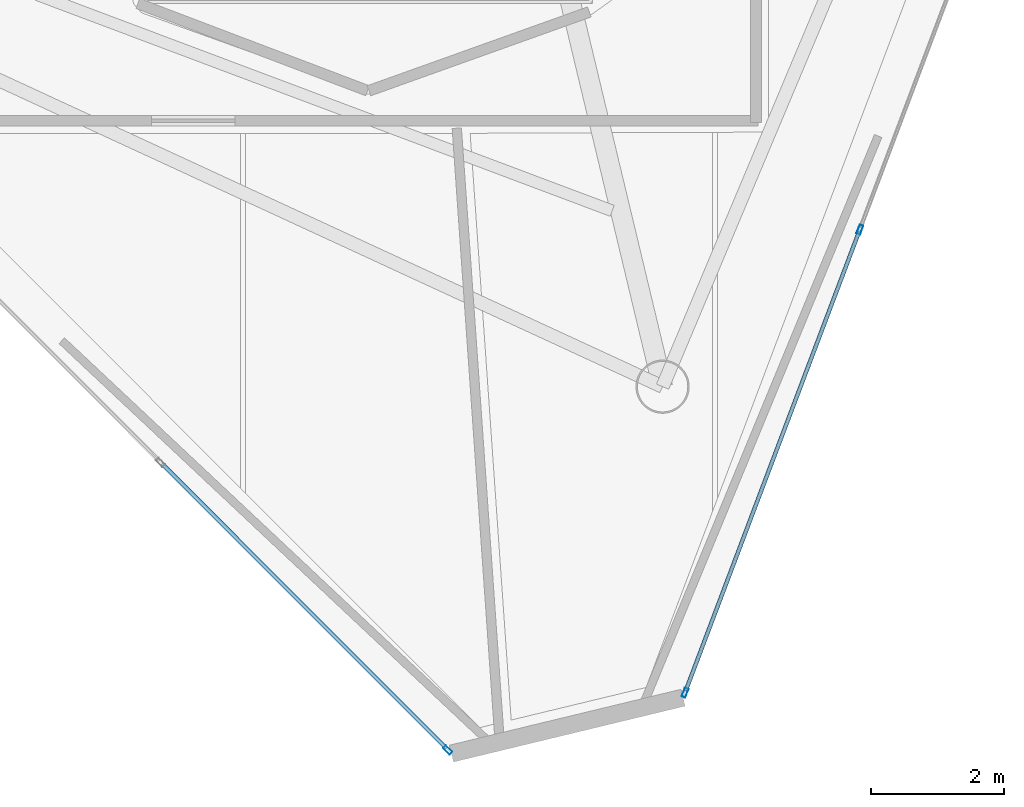
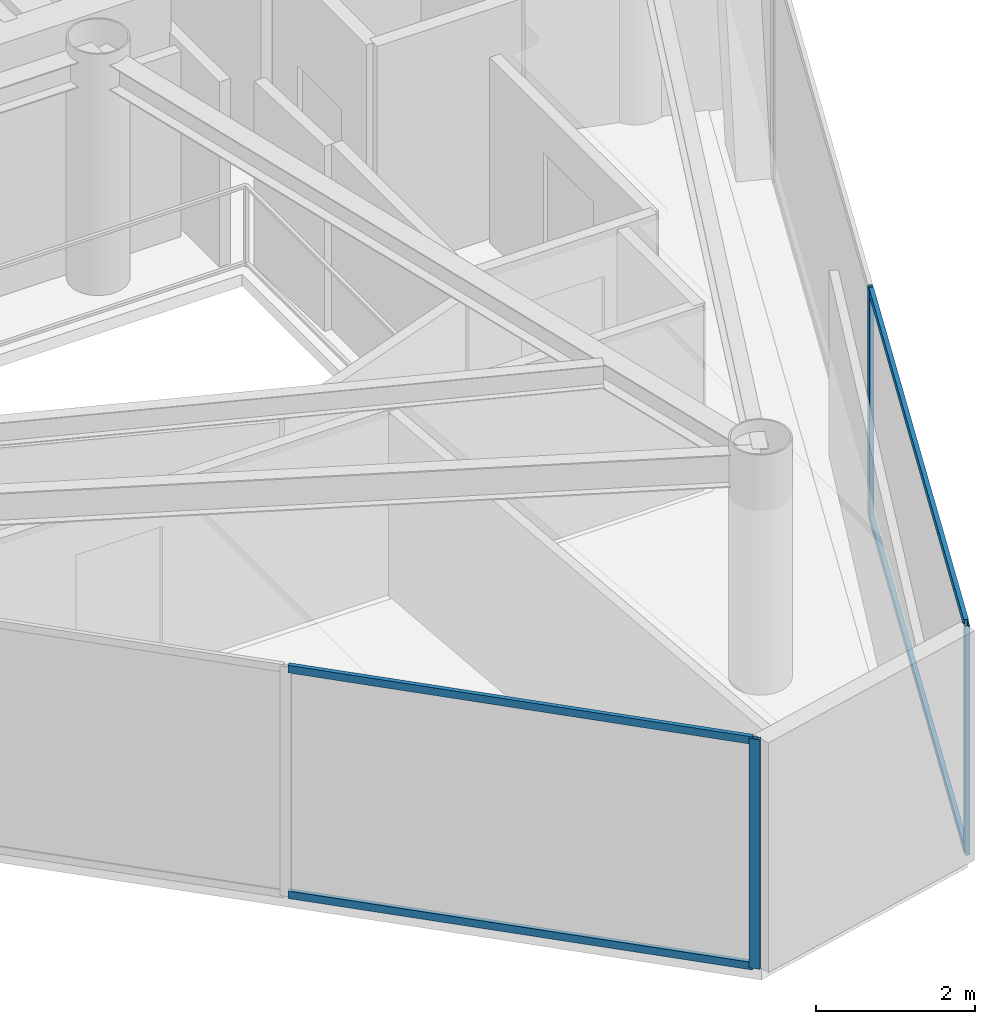
# One storey, part 4 of 19: 7 members, 2 elements without a shape of their own.
"""IFC4 building model written with IfcOpenShell, lengths in metres."""

from ifc_helpers import new_model, si_unit, direction, frame, origin, origin_2d, place, context, subcontext, project, spatial, hollow_rectangle, extrude, material, layer, layer_set, material_profile, profile_set, type_object, element, aggregate, save


model = new_model("IFC4")

# Units and contexts
model_context = context("Model", 3, precision=1e-05, world=origin(), true_north=direction((0.0, 1.0)))
body_context = subcontext(model_context, "Body", "Model", "MODEL_VIEW")
ifc_project = project(units=[si_unit("LENGTHUNIT", "METRE"), si_unit("AREAUNIT", "SQUARE_METRE"), si_unit("VOLUMEUNIT", "CUBIC_METRE"), si_unit("PLANEANGLEUNIT", "RADIAN"), si_unit("MASSUNIT", "GRAM", prefix="KILO")], contexts=[model_context])

# Site, building, storey
site_placement = place(None, origin())
site = spatial("IfcSite", under=ifc_project, at=site_placement, CompositionType="ELEMENT")
building_placement = place(site_placement, origin())
building = spatial("IfcBuilding", under=site, at=building_placement, Name="Qianvela Tower", CompositionType="ELEMENT")
storey_placement = place(building_placement, frame((0.0, 0.0, 340.699951171875)))
storey = spatial("IfcBuildingStorey", under=building, at=storey_placement, Name="L88", CompositionType="ELEMENT", Elevation=340.699951171875)

# Curtain wall, member
ifc_material_1 = material(Name="Anodised Architectural Aluminium and Low-E Glass", Category="aluminium")
ifc_layer = layer(ifc_material_1, 0.14990234375)
ifc_layer_set = layer_set([ifc_layer], Name="Anodised Architectural Aluminium and Low-E Glass")
curtain_wall_type = type_object("IfcCurtainWallType", Name="CW-COLIV-Z78", PredefinedType="USERDEFINED", material=ifc_layer_set)
curtain_wall_1_placement = place(storey_placement, origin())
curtain_wall_1 = element("IfcCurtainWall", 1, at=curtain_wall_1_placement, inside=storey, type_object=curtain_wall_type, Name="L88 CW-COLIV-Z78 Curtain Wall 04C", ObjectType="CURTAIN_WALL_SYSTEM", PredefinedType="USERDEFINED")
ifc_material_2 = material(Name="Anodised Architectural Aluminium 6063-T6", Category="aluminium")
ifc_material_profile_1 = material_profile(ifc_material_2, hollow_rectangle(XDim=0.06005859375, YDim=0.139892578125, WallThickness=0.00439453125, at=origin_2d()), Name="ALU-MULL-60x140")
ifc_profile_set_1 = profile_set([ifc_material_profile_1], Name="Anodised Architectural Aluminium 6063-T6")
member_type_1 = type_object("IfcMemberType", Name="CW-COLIV-Z78-MULL", PredefinedType="MULLION", material=ifc_profile_set_1)
member_1_placement = place(storey_placement, frame((37.992919921875, 6.63671875, 0.0), z_axis=(0.0, 0.0, 1.0), x_axis=(0.707600110845, 0.706613107104, 0.0)))
member_1 = element("IfcMember", 2, at=member_1_placement, type_object=member_type_1, Name="CW-6 mullion 3", PredefinedType="MULLION", context=body_context, shape_type="SweptSolid", body=[
    extrude(hollow_rectangle(XDim=0.06005859375, YDim=0.139892578125, WallThickness=0.00439453125, at=origin_2d()), origin(), (0.0, 0.0, 1.0), 3.52001953125),
])

# Curtain wall, members
curtain_wall_2_placement = place(storey_placement, origin())
curtain_wall_2 = element("IfcCurtainWall", 3, at=curtain_wall_2_placement, inside=storey, type_object=curtain_wall_type, Name="L88 CW-COLIV-Z78 Curtain Wall 06A", ObjectType="CURTAIN_WALL_SYSTEM", PredefinedType="USERDEFINED")
member_2_placement = place(storey_placement, frame((41.55419921875, 7.494384765625, 0.0), z_axis=(0.0, 0.0, 1.0), x_axis=(-0.935525754489, 0.353258492733, 0.0)))
member_2 = element("IfcMember", 4, at=member_2_placement, type_object=member_type_1, Name="CW-6 mullion 1", PredefinedType="MULLION", context=body_context, shape_type="SweptSolid", body=[
    extrude(hollow_rectangle(XDim=0.06005859375, YDim=0.139892578125, WallThickness=0.00439453125, at=origin_2d()), origin(), (0.0, 0.0, 1.0), 3.52001953125),
])
member_3_placement = place(storey_placement, frame((44.1787109375, 14.4453125, 0.0), z_axis=(0.0, 0.0, 1.0), x_axis=(-0.935525754489, 0.353258492733, 0.0)))
member_3 = element("IfcMember", 5, at=member_3_placement, type_object=member_type_1, Name="CW-6 mullion 2", PredefinedType="MULLION", context=body_context, shape_type="SweptSolid", body=[
    extrude(hollow_rectangle(XDim=0.06005859375, YDim=0.139892578125, WallThickness=0.00439453125, at=origin_2d()), origin(), (0.0, 0.0, 1.0), 3.52001953125),
])

# Member
ifc_material_3 = material(Name="Anodised Architectural Aluminium 6063-T6", Category="aluminium")
ifc_material_profile_2 = material_profile(ifc_material_3, hollow_rectangle(XDim=0.06005859375, YDim=0.114990234375, WallThickness=0.00390625, at=origin_2d()), Name="ALU-TRAN-60x115")
ifc_profile_set_2 = profile_set([ifc_material_profile_2], Name="Anodised Architectural Aluminium 6063-T6")
member_type_2 = type_object("IfcMemberType", Name="CW-COLIV-Z78-TRAN", PredefinedType="USERDEFINED", material=ifc_profile_set_2)
member_4_placement = place(storey_placement, frame((33.703857421875, 10.931640625, 0.030029296875), z_axis=(0.706621547677, -0.707591681945, 0.0), x_axis=(0.707591681945, 0.706621547677, 0.0)))
member_4 = element("IfcMember", 6, at=member_4_placement, type_object=member_type_2, Name="CW-6 transom 2.1", ObjectType="TRANSOM", PredefinedType="USERDEFINED", context=body_context, shape_type="SweptSolid", body=[
    extrude(hollow_rectangle(XDim=0.06005859375, YDim=0.114990234375, WallThickness=0.00390625, at=origin_2d()), origin(), (0.0, 0.0, 1.0), 6.039794921875),
])

member_5_placement = place(storey_placement, frame((33.703857421875, 10.931640625, 3.489990234375), z_axis=(0.706621547677, -0.707591681945, 0.0), x_axis=(0.707591681945, 0.706621547677, 0.0)))
member_5 = element("IfcMember", 7, at=member_5_placement, type_object=member_type_2, Name="CW-6 transom 2.2", ObjectType="TRANSOM", PredefinedType="USERDEFINED", context=body_context, shape_type="SweptSolid", body=[
    extrude(hollow_rectangle(XDim=0.06005859375, YDim=0.114990234375, WallThickness=0.00390625, at=origin_2d()), origin(), (0.0, 0.0, 1.0), 6.039794921875),
])

aggregate(curtain_wall_1, [member_1, member_4, member_5])

member_6_placement = place(storey_placement, frame((41.564697265625, 7.5224609375, 0.030029296875), z_axis=(0.353260772177, 0.935524893758, 0.0), x_axis=(-0.935524893758, 0.353260772177, 0.0)))
member_6 = element("IfcMember", 8, at=member_6_placement, type_object=member_type_2, Name="CW-6 transom 1.1", ObjectType="TRANSOM", PredefinedType="USERDEFINED", context=body_context, shape_type="SweptSolid", body=[
    extrude(hollow_rectangle(XDim=0.06005859375, YDim=0.114990234375, WallThickness=0.00390625, at=origin_2d()), origin(), (0.0, 0.0, 1.0), 7.369873046875),
])

member_7_placement = place(storey_placement, frame((41.564697265625, 7.5224609375, 3.489990234375), z_axis=(0.353260772177, 0.935524893758, 0.0), x_axis=(-0.935524893758, 0.353260772177, 0.0)))
member_7 = element("IfcMember", 9, at=member_7_placement, type_object=member_type_2, Name="CW-6 transom 1.2", ObjectType="TRANSOM", PredefinedType="USERDEFINED", context=body_context, shape_type="SweptSolid", body=[
    extrude(hollow_rectangle(XDim=0.06005859375, YDim=0.114990234375, WallThickness=0.00390625, at=origin_2d()), origin(), (0.0, 0.0, 1.0), 7.369873046875),
])

aggregate(curtain_wall_2, [member_2, member_3, member_6, member_7])

save(model, "model.ifc")
